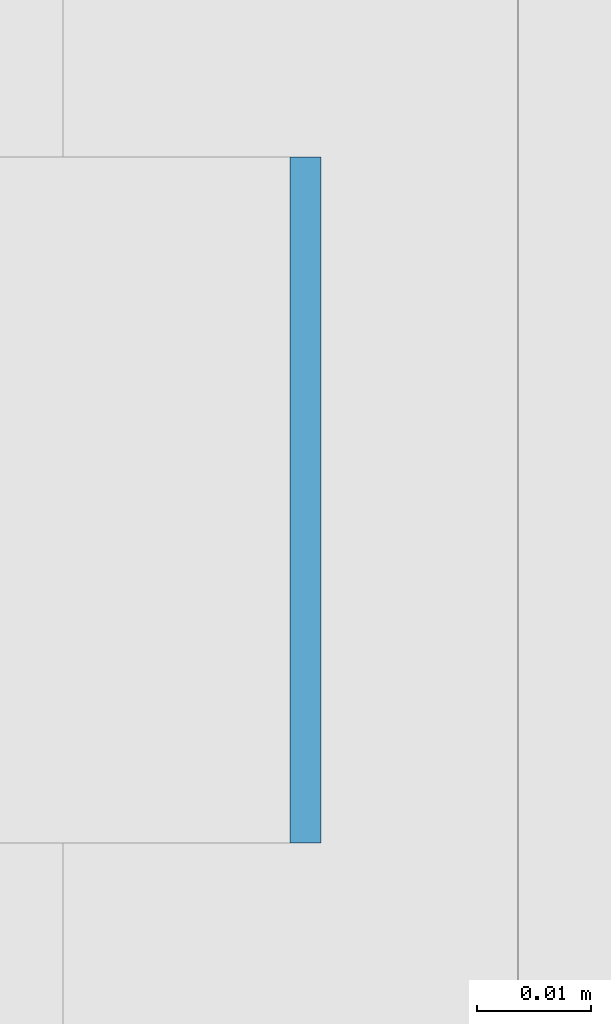
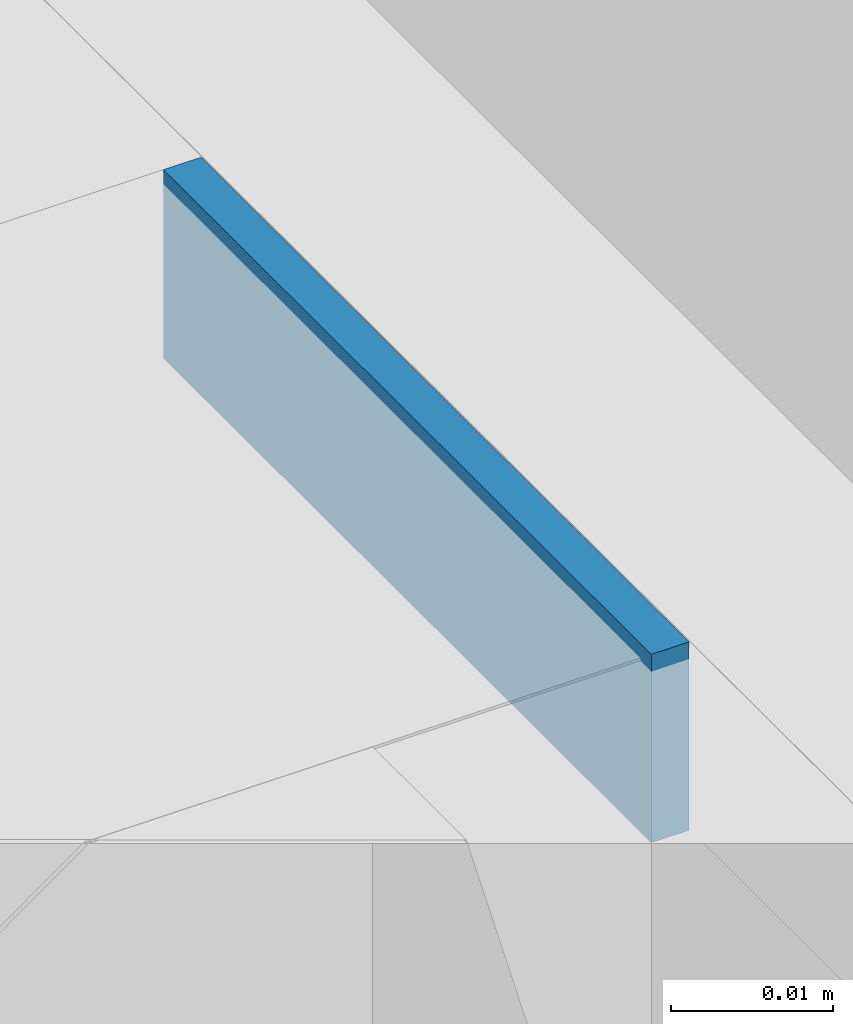
# One storey, part 341 of 646: 1 discrete accessory.
"""IFC4 building model written with IfcOpenShell, lengths in metres."""

from ifc_helpers import new_model, si_unit, direction, frame, origin, origin_2d, place, context, subcontext, project, spatial, rectangle, extrude, material, type_object, element, save


model = new_model("IFC4")

# Units and contexts
model_context = context("Model", 3, precision=1e-05, world=origin(), true_north=direction((0.0, 1.0)))
body_context = subcontext(model_context, "Body", "Model", "MODEL_VIEW")
ifc_project = project(units=[si_unit("LENGTHUNIT", "METRE"), si_unit("AREAUNIT", "SQUARE_METRE"), si_unit("VOLUMEUNIT", "CUBIC_METRE"), si_unit("PLANEANGLEUNIT", "RADIAN"), si_unit("MASSUNIT", "GRAM", prefix="KILO")], contexts=[model_context])

# Site, building, storey
site_placement = place(None, origin())
site = spatial("IfcSite", under=ifc_project, at=site_placement, CompositionType="ELEMENT")
building_placement = place(site_placement, origin())
building = spatial("IfcBuilding", under=site, at=building_placement, Name="Silverbay Arena", CompositionType="ELEMENT")
storey_placement = place(building_placement, frame((0.0, 0.0, 33.5)))
storey = spatial("IfcBuildingStorey", under=building, at=storey_placement, Name="L05", CompositionType="ELEMENT", Elevation=33.5)

# Discrete accessory
ifc_material = material(Name="Steel S355", Category="steel")
discrete_accessory_type = type_object("IfcDiscreteAccessoryType", Name="Steel bracket plate", PredefinedType="BRACKET", material=ifc_material)
discrete_accessory_placement = place(storey_placement, frame((53.871337890625, 86.142822265625, 12.98583984375), z_axis=(0.0, 0.0, 1.0), x_axis=(1.0, 0.0, 0.0)))
element("IfcDiscreteAccessory", 1, at=discrete_accessory_placement, inside=storey, type_object=discrete_accessory_type, Name="Curtain wall packing plate", PredefinedType="BRACKET", context=body_context, shape_type="SweptSolid", body=[
    extrude(rectangle(XDim=0.002685546875, YDim=0.06005859375, at=origin_2d()), origin(), (0.0, 0.0, 1.0), 0.01416015625),
])

save(model, "model.ifc")
